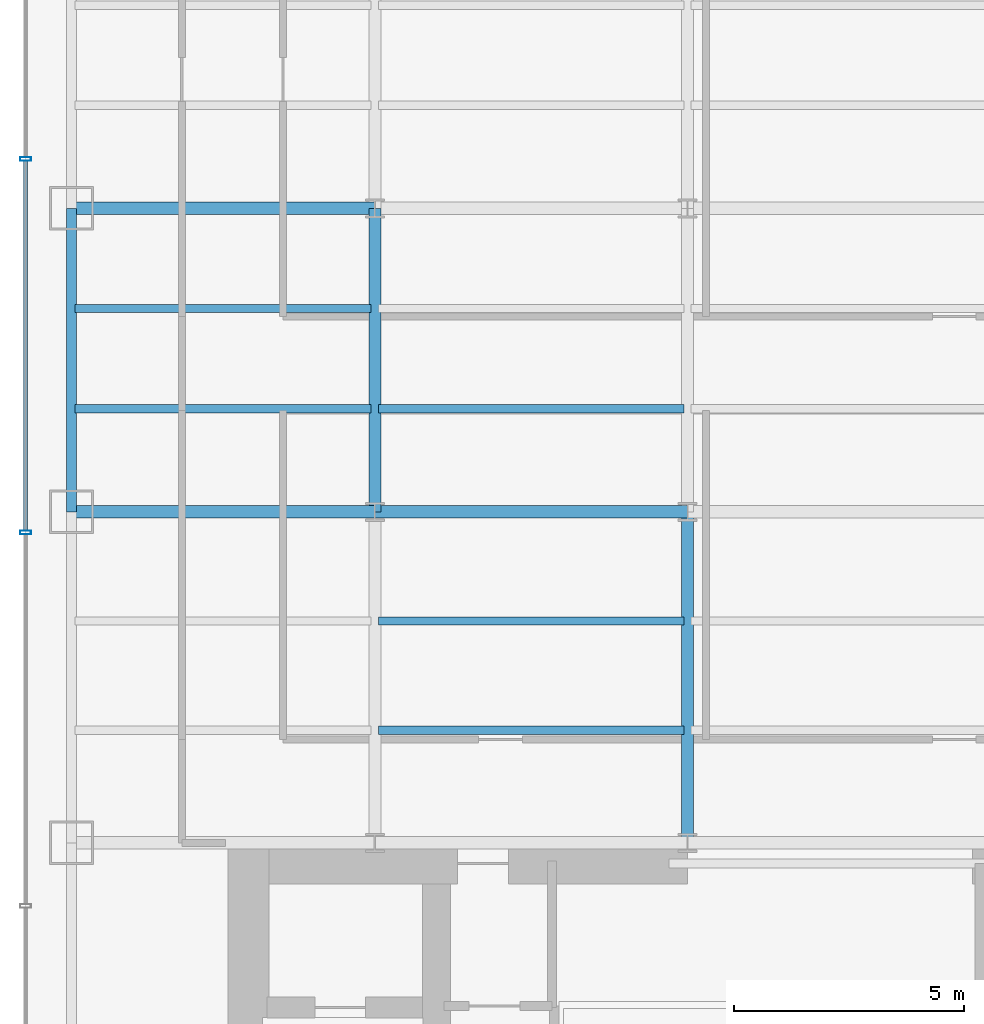
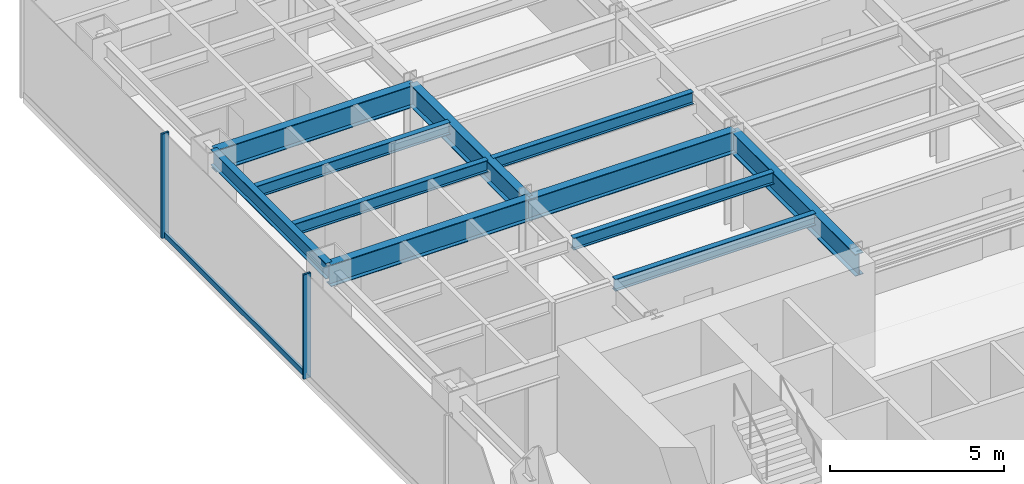
# One storey, part 4 of 23: 11 beams, 3 members, 1 element without a shape of its own.
"""IFC4 building model written with IfcOpenShell, lengths in metres."""

import ifcopenshell
import ifcopenshell.guid

model = None  # the IFC model being written
_history = None  # IfcOwnerHistory: only IFC2X3 demands one
_inside = {}  # id of a spatial element -> (the spatial element, [elements in it])
_under = {}  # id of a project, library or spatial element -> (it, [spatial elements below it])
_declared = {}  # id of a project -> (the project, [libraries it declares])
_typed = {}  # id of a type object -> (the type object, [elements of that type])
_made_of = {}  # id of a material, layer set ... -> (it, [elements and type objects made of it])


def new_model(schema):
    """Start an empty IFC model of exactly this schema.

    Asked for "IFC4X3", IfcOpenShell would pick the latest addendum, in which some entities
    have other attributes; the version numbers below select the first issue.
    IFC2X3 requires an IfcOwnerHistory on every rooted entity: one is made here for all.
    """
    global model, _history
    if schema == "IFC4X3":
        model = ifcopenshell.file(schema_version=(4, 3, 0, 0))
    else:
        model = ifcopenshell.file(schema=schema)
    _inside.clear()
    _under.clear()
    _declared.clear()
    _typed.clear()
    _made_of.clear()
    _history = None
    if model.schema == "IFC2X3":
        org = make("IfcOrganization", Name="unknown")
        user = make(
            "IfcPersonAndOrganization",
            ThePerson=make("IfcPerson", FamilyName="unknown"),
            TheOrganization=org,
        )
        app = make(
            "IfcApplication",
            ApplicationDeveloper=org,
            Version="unknown",
            ApplicationFullName="unknown",
            ApplicationIdentifier="unknown",
        )
        _history = make(
            "IfcOwnerHistory",
            OwningUser=user,
            OwningApplication=app,
            ChangeAction="ADDED",
            CreationDate=0,
        )
    return model


def make(cls, **values):
    """One entity of the class cls with the attributes given. An attribute that is None is left unset."""
    return model.create_entity(
        cls, **{name: value for name, value in values.items() if value is not None}
    )


def rooted(cls, **values):
    """An entity with a GlobalId (a new one), such as an element, a storey or a relation."""
    return make(cls, GlobalId=ifcopenshell.guid.new(), OwnerHistory=_history, **values)


def si_unit(unit_type, name, prefix=None):
    """IfcSIUnit, for example si_unit("LENGTHUNIT", "METRE", prefix="MILLI")."""
    return make("IfcSIUnit", UnitType=unit_type, Prefix=prefix, Name=name)


def derived_unit(unit_type, elements):
    """IfcDerivedUnit: a product of units, each with its exponent."""
    return make(
        "IfcDerivedUnit",
        Elements=[
            make("IfcDerivedUnitElement", Unit=unit, Exponent=power)
            for unit, power in elements
        ],
        UnitType=unit_type,
    )


def assignment(units):
    """IfcUnitAssignment: the units of a project."""
    return None if units is None else make("IfcUnitAssignment", Units=units)


def point(xyz):
    """IfcCartesianPoint."""
    return None if xyz is None else make("IfcCartesianPoint", Coordinates=xyz)


def direction(xyz):
    """IfcDirection."""
    return None if xyz is None else make("IfcDirection", DirectionRatios=xyz)


def frame(location, z_axis=None, x_axis=None):
    """IfcAxis2Placement3D, a coordinate frame: its origin and axes. An axis left out is left unset."""
    return make(
        "IfcAxis2Placement3D",
        Location=point(location),
        Axis=direction(z_axis),
        RefDirection=direction(x_axis),
    )


def frame_2d(location, x_axis=None):
    """IfcAxis2Placement2D, a coordinate frame in the plane: its origin and x axis."""
    return make(
        "IfcAxis2Placement2D", Location=point(location), RefDirection=direction(x_axis)
    )


def origin():
    """The frame at (0, 0, 0) with its axes left unset."""
    return frame((0.0, 0.0, 0.0))


def origin_2d():
    """The frame at (0, 0) in the plane with its x axis left unset."""
    return frame_2d((0.0, 0.0))


def place(relative_to, where):
    """IfcLocalPlacement: puts the frame where relative to a parent placement (None: the world)."""
    return make(
        "IfcLocalPlacement", PlacementRelTo=relative_to, RelativePlacement=where
    )


def context(
    kind, dimensions, precision=None, world=None, true_north=None, identifier=None
):
    """IfcGeometricRepresentationContext, for example the 3D "Model" context."""
    return make(
        "IfcGeometricRepresentationContext",
        ContextIdentifier=identifier,
        ContextType=kind,
        CoordinateSpaceDimension=dimensions,
        Precision=precision,
        WorldCoordinateSystem=world,
        TrueNorth=true_north,
    )


def subcontext(parent, identifier, kind, view, scale=None):
    """IfcGeometricRepresentationSubContext, for example "Body" below "Model"."""
    return make(
        "IfcGeometricRepresentationSubContext",
        ContextIdentifier=identifier,
        ContextType=kind,
        ParentContext=parent,
        TargetScale=scale,
        TargetView=view,
    )


def project(units=None, contexts=None):
    """IfcProject with its units and contexts."""
    return rooted(
        "IfcProject",
        Name="project",
        RepresentationContexts=contexts,
        UnitsInContext=assignment(units),
    )


def spatial(cls, under=None, at=None, **own):
    """A site, building, storey or space (cls), placed at a placement, below another one or the project."""
    s = rooted(cls, ObjectPlacement=at, **own)
    if under is not None:
        _under.setdefault(under.id(), (under, []))[1].append(s)
    return s


def profile(cls, at=None, kind="AREA", **sizes):
    """A parametric profile (cls). Its sizes go by their IFC names, for example OverallWidth=200.0."""
    return make(cls, ProfileType=kind, Position=at, **sizes)


def hollow_rectangle(**sizes):
    """IfcRectangleHollowProfileDef."""
    return profile("IfcRectangleHollowProfileDef", **sizes)


def i_section(**sizes):
    """IfcIShapeProfileDef."""
    return profile("IfcIShapeProfileDef", **sizes)


def extrude(swept, where, along, depth):
    """IfcExtrudedAreaSolid: the profile swept, set in the frame where, extruded along a direction by depth."""
    return make(
        "IfcExtrudedAreaSolid",
        SweptArea=swept,
        Position=where,
        ExtrudedDirection=direction(along),
        Depth=depth,
    )


def shape(context_of_items, identifier, shape_type, items):
    """IfcShapeRepresentation: the items that make up one representation, for example the "Body"."""
    return make(
        "IfcShapeRepresentation",
        ContextOfItems=context_of_items,
        RepresentationIdentifier=identifier,
        RepresentationType=shape_type,
        Items=items,
    )


def source(mapping_origin, context_of_items, identifier, shape_type, items):
    """IfcRepresentationMap: a shape defined once, which mapped items show again and again."""
    return make(
        "IfcRepresentationMap",
        MappingOrigin=mapping_origin,
        MappedRepresentation=shape(context_of_items, identifier, shape_type, items),
    )


def transform(
    local_origin,
    x_axis=None,
    y_axis=None,
    z_axis=None,
    scale=None,
    scale2=None,
    scale3=None,
    uniform=True,
):
    """IfcCartesianTransformationOperator3D, or its non-uniform kind. x_axis, y_axis, z_axis: its Axis1, 2, 3."""
    if uniform:
        return make(
            "IfcCartesianTransformationOperator3D",
            Axis1=direction(x_axis),
            Axis2=direction(y_axis),
            LocalOrigin=point(local_origin),
            Scale=scale,
            Axis3=direction(z_axis),
        )
    return make(
        "IfcCartesianTransformationOperator3DnonUniform",
        Axis1=direction(x_axis),
        Axis2=direction(y_axis),
        LocalOrigin=point(local_origin),
        Scale=scale,
        Axis3=direction(z_axis),
        Scale2=scale2,
        Scale3=scale3,
    )


def mapped(mapping_source, mapping_target):
    """IfcMappedItem: shows the shape of a source again, moved by a transform."""
    return make(
        "IfcMappedItem", MappingSource=mapping_source, MappingTarget=mapping_target
    )


def material(Name=None, Category=None):
    """IfcMaterial."""
    return make("IfcMaterial", Name=Name, Category=Category)


def material_profile(
    of_material, cross_section, Name=None, Category=None, Priority=None
):
    """IfcMaterialProfile: a cross section and its material."""
    return make(
        "IfcMaterialProfile",
        Name=Name,
        Material=of_material,
        Profile=cross_section,
        Priority=Priority,
        Category=Category,
    )


def profile_set(profiles, Name=None, composite=None):
    """IfcMaterialProfileSet."""
    return make(
        "IfcMaterialProfileSet",
        Name=Name,
        MaterialProfiles=profiles,
        CompositeProfile=composite,
    )


def made_of(thing, what):
    """Note that an element or type object is made of a material, layer set ...; save() writes the relation."""
    if what is not None:
        _made_of.setdefault(what.id(), (what, []))[1].append(thing)
    return thing


def type_object(cls, material=None, **own):
    """A type object (cls), such as IfcWallType, which elements share."""
    return made_of(rooted(cls, **own), material)


def element(
    cls,
    number,
    at=None,
    inside=None,
    cuts=None,
    type_object=None,
    material=None,
    context=None,
    identifier="Body",
    shape_type=None,
    held_by="IfcProductDefinitionShape",
    body=None,
    shapes=None,
    **own,
):
    """One element of the class cls, such as IfcWall. Its Tag is "e" and its number.

    at: its placement. inside: the storey or other place that contains it. cuts: it is an
    opening in that element (IfcRelVoidsElement). A single representation is given by context,
    identifier, shape_type and body (its items); several are given by shapes. held_by: the class
    of the entity that holds the representations. save() writes the other relations.
    """
    e = rooted(cls, Tag="e%d" % number, ObjectPlacement=at, **own)
    if body is not None:
        shapes = [shape(context, identifier, shape_type, body)]
    if shapes is not None:
        e.Representation = make(held_by, Representations=shapes)
    if inside is not None:
        _inside.setdefault(inside.id(), (inside, []))[1].append(e)
    if cuts is not None:
        rooted(
            "IfcRelVoidsElement", RelatingBuildingElement=cuts, RelatedOpeningElement=e
        )
    if type_object is not None:
        _typed.setdefault(type_object.id(), (type_object, []))[1].append(e)
    return made_of(e, material)


def aggregate(whole, parts):
    """IfcRelAggregates: a whole, such as a stair, and the parts it consists of."""
    return rooted("IfcRelAggregates", RelatingObject=whole, RelatedObjects=parts)


def save(model, path):
    """Write the relations noted so far, then the file.

    IfcRelAggregates (storeys below a building ...), IfcRelContainedInSpatialStructure (elements
    in a storey), IfcRelDefinesByType, IfcRelAssociatesMaterial and IfcRelDeclares: one each for
    every whole, place, type object, material and project.
    """
    for whole, parts in _under.values():
        aggregate(whole, parts)
    for where, things in _inside.values():
        rooted(
            "IfcRelContainedInSpatialStructure",
            RelatedElements=things,
            RelatingStructure=where,
        )
    for kind, things in _typed.values():
        rooted("IfcRelDefinesByType", RelatedObjects=things, RelatingType=kind)
    for what, things in _made_of.values():
        rooted("IfcRelAssociatesMaterial", RelatedObjects=things, RelatingMaterial=what)
    for by, libraries in _declared.values():
        rooted("IfcRelDeclares", RelatingContext=by, RelatedDefinitions=libraries)
    model.write(path)


model = new_model("IFC4")

# Units and contexts
model_context = context("Model", 3, precision=1e-05, world=origin(), true_north=direction((0.0, 1.0)))
body_context = subcontext(model_context, "Body", "Model", "MODEL_VIEW")
ifc_project = project(units=[si_unit("LENGTHUNIT", "METRE"), si_unit("AREAUNIT", "SQUARE_METRE"), si_unit("VOLUMEUNIT", "CUBIC_METRE"), si_unit("PLANEANGLEUNIT", "RADIAN"), si_unit("MASSUNIT", "GRAM", prefix="KILO"), derived_unit("THERMALTRANSMITTANCEUNIT", [(si_unit("POWERUNIT", "WATT"), 1), (si_unit("LENGTHUNIT", "METRE"), -2), (si_unit("THERMODYNAMICTEMPERATUREUNIT", "KELVIN"), -1)])], contexts=[model_context])

# Site, building, storey
site_placement = place(None, origin())
site = spatial("IfcSite", under=ifc_project, at=site_placement, CompositionType="ELEMENT")
building_placement = place(site_placement, origin())
building = spatial("IfcBuilding", under=site, at=building_placement, Name="Skarnbrae Concourse Arena and Tower", CompositionType="ELEMENT")
storey_placement = place(building_placement, frame((0.0, 0.0, 50.75)))
storey = spatial("IfcBuildingStorey", under=building, at=storey_placement, Name="L11", CompositionType="ELEMENT", Elevation=50.75)

# Beams
ifc_material_1 = material(Name="Steel CSA G40.21 350W", Category="steel")
ifc_material_profile_1 = material_profile(ifc_material_1, i_section(OverallWidth=0.26806640625, OverallDepth=0.77001953125, WebThickness=0.015625, FlangeThickness=0.025390625, at=origin_2d()), Name="W760X196")
ifc_profile_set_1 = profile_set([ifc_material_profile_1], Name="Steel CSA G40.21 350W")
beam_type_1 = type_object("IfcBeamType", Name="BM-GIRD-W760X196", PredefinedType="BEAM", material=ifc_profile_set_1)
shared_shape_1 = source(origin(), body_context, "Body", "SweptSolid", [
    extrude(i_section(OverallWidth=0.26806640625, OverallDepth=0.77001953125, WebThickness=0.015625, FlangeThickness=0.025390625, at=origin_2d()), origin(), (0.0, 0.0, 1.0), 6.60009765625),
])
for number, where, z_axis, x_axis, name in (
    (1, (1.0, 21.199951171875, 3.014892578125), (1.0, 0.0, 0.0), (0.0, 1.0, 0.0), "L11 Primary E-W girder Y21.2-1"),
    (2, (1.0, 27.800048828125, 3.014892578125), (1.0, 0.0, 0.0), (0.0, 1.0, 0.0), "L11 Primary E-W girder Y27.8-1"),
    (3, (7.60009765625, 21.199951171875, 3.014892578125), (0.0, 1.0, 0.0), (-1.0, 0.0, 0.0), "L11 Primary N-S girder X7.6-2"),
):
    element("IfcBeam", number, at=place(storey_placement, frame(where, z_axis=z_axis, x_axis=x_axis)), inside=storey, type_object=beam_type_1, Name=name, PredefinedType="BEAM", context=body_context, shape_type="MappedRepresentation", body=[
        mapped(shared_shape_1, transform((0.0, 0.0, 0.0))),
    ])
shared_shape_2 = source(origin(), body_context, "Body", "SweptSolid", [
    extrude(i_section(OverallWidth=0.26806640625, OverallDepth=0.77001953125, WebThickness=0.015625, FlangeThickness=0.025390625, at=origin_2d()), origin(), (0.0, 0.0, 1.0), 6.7998046875),
])
beam_1_placement = place(storey_placement, frame((7.60009765625, 21.199951171875, 3.014892578125), z_axis=(1.0, 0.0, 0.0), x_axis=(0.0, 1.0, 0.0)))
element("IfcBeam", 4, at=beam_1_placement, inside=storey, type_object=beam_type_1, Name="L11 Primary E-W girder Y21.2-2", PredefinedType="BEAM", context=body_context, shape_type="MappedRepresentation", body=[
    mapped(shared_shape_2, transform((0.0, 0.0, 0.0))),
])
ifc_material_profile_2 = material_profile(ifc_material_1, i_section(OverallWidth=0.214111328125, OverallDepth=0.549072265625, WebThickness=0.0146484375, FlangeThickness=0.023681640625, at=origin_2d()), Name="W530X138")
ifc_profile_set_2 = profile_set([ifc_material_profile_2], Name="Steel CSA G40.21 350W")
beam_type_2 = type_object("IfcBeamType", Name="BM-SPAN-W530X138", PredefinedType="SPANDREL", material=ifc_profile_set_2)
shared_shape_3 = source(origin(), body_context, "Body", "SweptSolid", [
    extrude(i_section(OverallWidth=0.214111328125, OverallDepth=0.549072265625, WebThickness=0.0146484375, FlangeThickness=0.023681640625, at=origin_2d()), origin(), (0.0, 0.0, 1.0), 6.60009765625),
])
beam_2_placement = place(storey_placement, frame((1.0, 21.199951171875, 3.12548828125), z_axis=(0.0, 1.0, 0.0), x_axis=(-1.0, 0.0, 0.0)))
element("IfcBeam", 5, at=beam_2_placement, inside=storey, type_object=beam_type_2, Name="L11 Perimeter spandrel X1.0-3", PredefinedType="SPANDREL", context=body_context, shape_type="MappedRepresentation", body=[
    mapped(shared_shape_3, transform((0.0, 0.0, 0.0))),
])
shared_shape_4 = source(origin(), body_context, "Body", "SweptSolid", [
    extrude(i_section(OverallWidth=0.26806640625, OverallDepth=0.77001953125, WebThickness=0.015625, FlangeThickness=0.025390625, at=origin_2d()), origin(), (0.0, 0.0, 1.0), 7.199951171875),
])
beam_3_placement = place(storey_placement, frame((14.39990234375, 14.0, 3.014892578125), z_axis=(0.0, 1.0, 0.0), x_axis=(-1.0, 0.0, 0.0)))
element("IfcBeam", 6, at=beam_3_placement, inside=storey, type_object=beam_type_1, Name="L11 Primary N-S girder X14.4-1", PredefinedType="BEAM", context=body_context, shape_type="MappedRepresentation", body=[
    mapped(shared_shape_4, transform((0.0, 0.0, 0.0))),
])
ifc_material_profile_3 = material_profile(ifc_material_1, i_section(OverallWidth=0.180908203125, OverallDepth=0.4169921875, WebThickness=0.010986328125, FlangeThickness=0.018310546875, at=origin_2d()), Name="W410X85")
ifc_profile_set_3 = profile_set([ifc_material_profile_3], Name="Steel CSA G40.21 350W")
beam_type_3 = type_object("IfcBeamType", Name="BM-JOIST-W410X85", PredefinedType="JOIST", material=ifc_profile_set_3)
shared_shape_5 = source(origin(), body_context, "Body", "SweptSolid", [
    extrude(i_section(OverallWidth=0.180908203125, OverallDepth=0.4169921875, WebThickness=0.010986328125, FlangeThickness=0.018310546875, at=origin_2d()), origin(), (0.0, 0.0, 1.0), 6.43994140625),
])
for number, where, z_axis, x_axis, name in (
    (7, (1.080078125, 23.444091796875, 3.19140625), (1.0, 0.0, 0.0), (0.0, 1.0, 0.0), "L11 Secondary floor joist 2.1.1"),
    (8, (1.080078125, 25.6220703125, 3.19140625), (1.0, 0.0, 0.0), (0.0, 1.0, 0.0), "L11 Secondary floor joist 2.2.1"),
):
    element("IfcBeam", number, at=place(storey_placement, frame(where, z_axis=z_axis, x_axis=x_axis)), inside=storey, type_object=beam_type_3, Name=name, PredefinedType="JOIST", context=body_context, shape_type="MappedRepresentation", body=[
        mapped(shared_shape_5, transform((0.0, 0.0, 0.0))),
    ])
shared_shape_6 = source(origin(), body_context, "Body", "SweptSolid", [
    extrude(i_section(OverallWidth=0.180908203125, OverallDepth=0.4169921875, WebThickness=0.010986328125, FlangeThickness=0.018310546875, at=origin_2d()), origin(), (0.0, 0.0, 1.0), 6.64013671875),
])
for number, where, z_axis, x_axis, name in (
    (9, (7.679931640625, 16.447998046875, 3.19140625), (1.0, 0.0, 0.0), (0.0, 1.0, 0.0), "L11 Secondary floor joist 1.1.2"),
    (10, (7.679931640625, 18.823974609375, 3.19140625), (1.0, 0.0, 0.0), (0.0, 1.0, 0.0), "L11 Secondary floor joist 1.2.2"),
    (11, (7.679931640625, 23.444091796875, 3.19140625), (1.0, 0.0, 0.0), (0.0, 1.0, 0.0), "L11 Secondary floor joist 2.1.2"),
):
    element("IfcBeam", number, at=place(storey_placement, frame(where, z_axis=z_axis, x_axis=x_axis)), inside=storey, type_object=beam_type_3, Name=name, PredefinedType="JOIST", context=body_context, shape_type="MappedRepresentation", body=[
        mapped(shared_shape_6, transform((0.0, 0.0, 0.0))),
    ])

# Curtain wall, members
ifc_material_2 = material(Name="Bronze anodised aluminium 6063-T6", Category="aluminium")
curtain_wall_type = type_object("IfcCurtainWallType", Name="CW-SYS-02-LOWZONE", PredefinedType="USERDEFINED", material=ifc_material_2)
curtain_wall_placement = place(storey_placement, origin())
curtain_wall = element("IfcCurtainWall", 12, at=curtain_wall_placement, inside=storey, type_object=curtain_wall_type, Name="L11 Unitised curtain wall CW-L11-E19", ObjectType="UNITISED CURTAIN WALL", PredefinedType="USERDEFINED")
ifc_material_profile_4 = material_profile(ifc_material_2, hollow_rectangle(XDim=0.080078125, YDim=0.239990234375, WallThickness=0.0048828125, at=origin_2d()), Name="ALU-MULL-80X240")
ifc_profile_set_4 = profile_set([ifc_material_profile_4], Name="Bronze anodised aluminium 6063-T6")
member_type_1 = type_object("IfcMemberType", Name="CWM-CW-02", PredefinedType="MULLION", material=ifc_profile_set_4)
shared_shape_7 = source(origin(), body_context, "Body", "SweptSolid", [
    extrude(hollow_rectangle(XDim=0.080078125, YDim=0.239990234375, WallThickness=0.0048828125, at=origin_2d()), origin(), (0.0, 0.0, 1.0), 3.64990234375),
])
member_1_placement = place(storey_placement, frame((0.0, 28.875, 0.0), z_axis=(0.0, 0.0, 1.0), x_axis=(0.0, -1.0, 0.0)))
member_1 = element("IfcMember", 13, at=member_1_placement, type_object=member_type_1, Name="CW-L11-E19 Mullion 2", PredefinedType="MULLION", context=body_context, shape_type="MappedRepresentation", body=[
    mapped(shared_shape_7, transform((0.0, 0.0, 0.0))),
])
member_2_placement = place(storey_placement, frame((0.0, 20.75, 0.0), z_axis=(0.0, 0.0, 1.0), x_axis=(0.0, -1.0, 0.0)))
member_2 = element("IfcMember", 14, at=member_2_placement, type_object=member_type_1, Name="CW-L11-E19 Mullion 3", PredefinedType="MULLION", context=body_context, shape_type="MappedRepresentation", body=[
    mapped(shared_shape_7, transform((0.0, 0.0, 0.0))),
])
ifc_material_profile_5 = material_profile(ifc_material_2, hollow_rectangle(XDim=0.080078125, YDim=0.18994140625, WallThickness=0.0048828125, at=origin_2d()), Name="ALU-TRAN-80X190")
ifc_profile_set_5 = profile_set([ifc_material_profile_5], Name="Bronze anodised aluminium 6063-T6")
member_type_2 = type_object("IfcMemberType", Name="CWT-CW-02", PredefinedType="USERDEFINED", material=ifc_profile_set_5)
shared_shape_8 = source(origin(), body_context, "Body", "SweptSolid", [
    extrude(hollow_rectangle(XDim=0.080078125, YDim=0.18994140625, WallThickness=0.0048828125, at=origin_2d()), origin(), (0.0, 0.0, 1.0), 8.044921875),
])
member_3_placement = place(storey_placement, frame((0.0, 28.8349609375, 0.094970703125), z_axis=(0.0, -1.0, 0.0), x_axis=(1.0, 0.0, 0.0)))
member_3 = element("IfcMember", 15, at=member_3_placement, type_object=member_type_2, Name="CW-L11-E19 Transom 2", ObjectType="TRANSOM", PredefinedType="USERDEFINED", context=body_context, shape_type="MappedRepresentation", body=[
    mapped(shared_shape_8, transform((0.0, 0.0, 0.0))),
])
aggregate(curtain_wall, [member_1, member_2, member_3])

save(model, "model.ifc")
